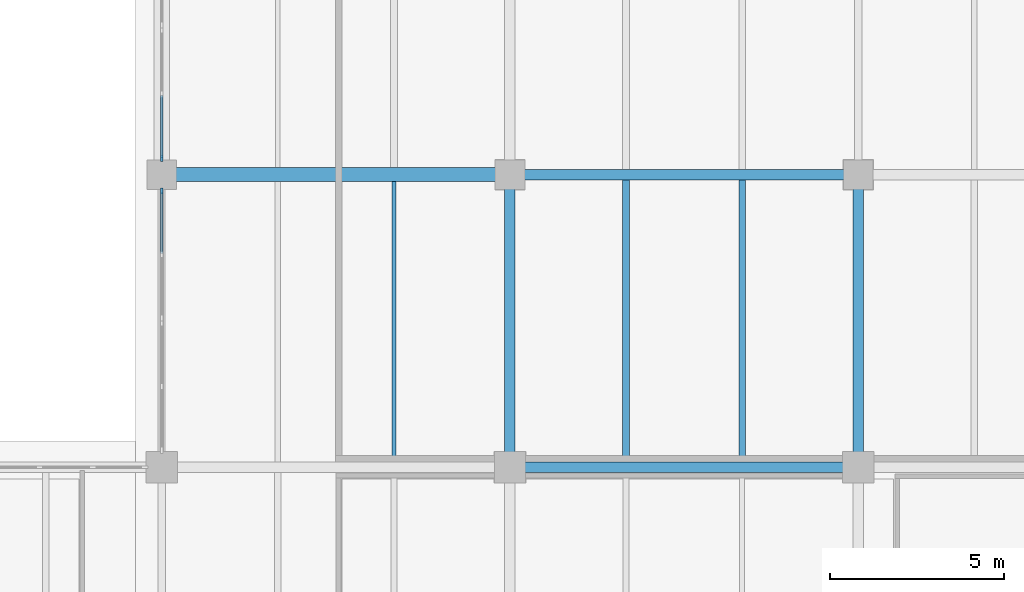
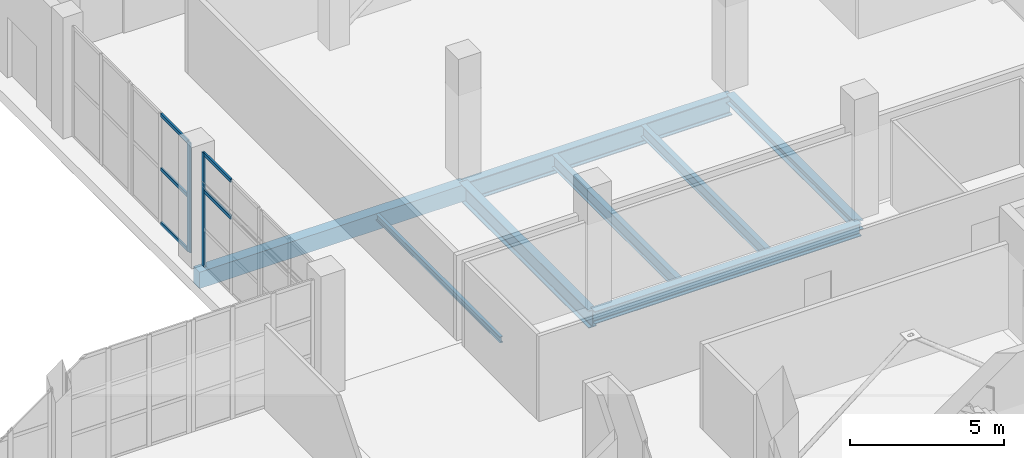
# One storey, part 35 of 121: 8 beams, 7 members, 2 elements without a shape of their own.
"""IFC4 building model written with IfcOpenShell, lengths in metres."""

from ifc_helpers import new_model, si_unit, direction, frame, origin, origin_2d, place, context, subcontext, project, spatial, rectangle, i_section, extrude, material, layer, layer_set, material_profile, profile_set, type_object, element, aggregate, save


model = new_model("IFC4")

# Units and contexts
model_context = context("Model", 3, precision=1e-05, world=origin(), true_north=direction((0.0, 1.0)))
body_context = subcontext(model_context, "Body", "Model", "MODEL_VIEW")
ifc_project = project(units=[si_unit("LENGTHUNIT", "METRE"), si_unit("AREAUNIT", "SQUARE_METRE"), si_unit("VOLUMEUNIT", "CUBIC_METRE"), si_unit("PLANEANGLEUNIT", "RADIAN"), si_unit("MASSUNIT", "GRAM", prefix="KILO")], contexts=[model_context])

# Site, building, storey
site_placement = place(None, origin())
site = spatial("IfcSite", under=ifc_project, at=site_placement, CompositionType="ELEMENT")
building_placement = place(site_placement, origin())
building = spatial("IfcBuilding", under=site, at=building_placement, Name="Zereglee Splitstone Museum", CompositionType="ELEMENT")
storey_placement = place(building_placement, origin())
storey = spatial("IfcBuildingStorey", under=building, at=storey_placement, Name="L00", CompositionType="ELEMENT", Elevation=0.0)

# Beam
ifc_material_1 = material(Name="Concrete C40/50", Category="concrete")
ifc_material_profile_1 = material_profile(ifc_material_1, rectangle(XDim=0.39990234375, YDim=0.64990234375, at=origin_2d()), Name="RC 400x650")
ifc_profile_set_1 = profile_set([ifc_material_profile_1], Name="Concrete C40/50")
beam_type_1 = type_object("IfcBeamType", Name="BG-04", PredefinedType="BEAM", material=ifc_profile_set_1)
beam_1_placement = place(storey_placement, frame((175.199951171875, 30.0, -0.7451171875), z_axis=(1.0, 0.0, 0.0), x_axis=(0.0, 1.0, 0.0)))
element("IfcBeam", 1, at=beam_1_placement, inside=storey, type_object=beam_type_1, Name="Primary Girder L00 D (175.2-185.2)", PredefinedType="BEAM", context=body_context, shape_type="SweptSolid", body=[
    extrude(rectangle(XDim=0.39990234375, YDim=0.64990234375, at=origin_2d()), origin(), (0.0, 0.0, 1.0), 10.0),
])

# Curtain wall, member
ifc_material_2 = material(Name="Triple-glazed low-E argon glass and bronze-anodised aluminium", Category="aluminium")
ifc_layer_1 = layer(ifc_material_2, 0.179931640625)
ifc_layer_set_1 = layer_set([ifc_layer_1], Name="Triple-glazed low-E argon glass and bronze-anodised aluminium")
curtain_wall_type_1 = type_object("IfcCurtainWallType", Name="CW-0375-436", PredefinedType="USERDEFINED", material=ifc_layer_set_1)
curtain_wall_1_placement = place(storey_placement, origin())
curtain_wall_1 = element("IfcCurtainWall", 2, at=curtain_wall_1_placement, inside=storey, type_object=curtain_wall_type_1, Name="Glazed Curtain Wall CW-0375-436 (L00)", ObjectType="GLAZED CURTAIN WALL", PredefinedType="USERDEFINED")
ifc_material_3 = material(Name="Thermally broken bronze-anodised aluminium", Category="aluminium")
ifc_material_profile_2 = material_profile(ifc_material_3, rectangle(XDim=0.06494140625, YDim=0.179931640625, at=origin_2d()), Name="CW MULL 65x180")
ifc_profile_set_2 = profile_set([ifc_material_profile_2], Name="Thermally broken bronze-anodised aluminium")
member_type_1 = type_object("IfcMemberType", Name="CWM-01", PredefinedType="MULLION", material=ifc_profile_set_2)
member_1_placement = place(storey_placement, frame((175.199951171875, 30.465576171875, 0.0), z_axis=(0.0, 0.0, 1.0), x_axis=(1.0, 0.0, 0.0)))
member_1 = element("IfcMember", 3, at=member_1_placement, type_object=member_type_1, Name="CW-0375-436 mullion 3", PredefinedType="MULLION", context=body_context, shape_type="SweptSolid", body=[
    extrude(rectangle(XDim=0.06494140625, YDim=0.179931640625, at=origin_2d()), origin(), (0.0, 0.0, 1.0), 4.360107421875),
])

ifc_layer_2 = layer(ifc_material_2, 0.179931640625)
ifc_layer_set_2 = layer_set([ifc_layer_2], Name="Triple-glazed low-E argon glass and bronze-anodised aluminium")
curtain_wall_type_2 = type_object("IfcCurtainWallType", Name="CW-0371-450", PredefinedType="USERDEFINED", material=ifc_layer_set_2)
curtain_wall_2_placement = place(storey_placement, origin())
curtain_wall_2 = element("IfcCurtainWall", 4, at=curtain_wall_2_placement, inside=storey, type_object=curtain_wall_type_2, Name="Glazed Curtain Wall CW-0371-450 (L00)", ObjectType="GLAZED CURTAIN WALL", PredefinedType="USERDEFINED")
member_2_placement = place(storey_placement, frame((175.199951171875, 29.534423828125, 0.0), z_axis=(0.0, 0.0, 1.0), x_axis=(1.0, 0.0, 0.0)))
member_2 = element("IfcMember", 5, at=member_2_placement, type_object=member_type_1, Name="CW-0371-450 mullion 1", PredefinedType="MULLION", context=body_context, shape_type="SweptSolid", body=[
    extrude(rectangle(XDim=0.06494140625, YDim=0.179931640625, at=origin_2d()), origin(), (0.0, 0.0, 1.0), 4.5),
])

# Member
ifc_material_profile_3 = material_profile(ifc_material_3, rectangle(XDim=0.06494140625, YDim=0.139892578125, at=origin_2d()), Name="CW TRAN 65x140")
ifc_profile_set_3 = profile_set([ifc_material_profile_3], Name="Thermally broken bronze-anodised aluminium")
member_type_2 = type_object("IfcMemberType", Name="CWT-01", PredefinedType="USERDEFINED", material=ifc_profile_set_3)
member_3_placement = place(storey_placement, frame((175.199951171875, 32.276611328125, 0.032470703125), z_axis=(0.0, -1.0, 0.0), x_axis=(1.0, 0.0, 0.0)))
member_3 = element("IfcMember", 6, at=member_3_placement, type_object=member_type_2, Name="CW-0375-436 transom 2.1", ObjectType="TRANSOM", PredefinedType="USERDEFINED", context=body_context, shape_type="SweptSolid", body=[
    extrude(rectangle(XDim=0.06494140625, YDim=0.139892578125, at=origin_2d()), origin(), (0.0, 0.0, 1.0), 1.778564453125),
])

member_4_placement = place(storey_placement, frame((175.199951171875, 32.276611328125, 2.179931640625), z_axis=(0.0, -1.0, 0.0), x_axis=(1.0, 0.0, 0.0)))
member_4 = element("IfcMember", 7, at=member_4_placement, type_object=member_type_2, Name="CW-0375-436 transom 2.2", ObjectType="TRANSOM", PredefinedType="USERDEFINED", context=body_context, shape_type="SweptSolid", body=[
    extrude(rectangle(XDim=0.06494140625, YDim=0.139892578125, at=origin_2d()), origin(), (0.0, 0.0, 1.0), 1.778564453125),
])

member_5_placement = place(storey_placement, frame((175.199951171875, 32.276611328125, 4.327392578125), z_axis=(0.0, -1.0, 0.0), x_axis=(1.0, 0.0, 0.0)))
member_5 = element("IfcMember", 8, at=member_5_placement, type_object=member_type_2, Name="CW-0375-436 transom 2.3", ObjectType="TRANSOM", PredefinedType="USERDEFINED", context=body_context, shape_type="SweptSolid", body=[
    extrude(rectangle(XDim=0.06494140625, YDim=0.139892578125, at=origin_2d()), origin(), (0.0, 0.0, 1.0), 1.778564453125),
])

aggregate(curtain_wall_1, [member_1, member_3, member_4, member_5])

member_6_placement = place(storey_placement, frame((175.199951171875, 29.501953125, 3.0), z_axis=(0.0, -1.0, 0.0), x_axis=(1.0, 0.0, 0.0)))
member_6 = element("IfcMember", 9, at=member_6_placement, type_object=member_type_2, Name="CW-0371-450 transom 1.3", ObjectType="TRANSOM", PredefinedType="USERDEFINED", context=body_context, shape_type="SweptSolid", body=[
    extrude(rectangle(XDim=0.06494140625, YDim=0.139892578125, at=origin_2d()), origin(), (0.0, 0.0, 1.0), 1.759765625),
])

member_7_placement = place(storey_placement, frame((175.199951171875, 29.501953125, 4.467529296875), z_axis=(0.0, -1.0, 0.0), x_axis=(1.0, 0.0, 0.0)))
member_7 = element("IfcMember", 10, at=member_7_placement, type_object=member_type_2, Name="CW-0371-450 transom 1.4", ObjectType="TRANSOM", PredefinedType="USERDEFINED", context=body_context, shape_type="SweptSolid", body=[
    extrude(rectangle(XDim=0.06494140625, YDim=0.139892578125, at=origin_2d()), origin(), (0.0, 0.0, 1.0), 1.759765625),
])

aggregate(curtain_wall_2, [member_2, member_6, member_7])

# Beams
ifc_material_4 = material(Name="Steel S355J2", Category="steel")
ifc_material_profile_4 = material_profile(ifc_material_4, i_section(OverallWidth=0.300048828125, OverallDepth=0.360107421875, WebThickness=0.012451171875, FlangeThickness=0.0224609375, FilletRadius=0.027099609375, at=origin_2d()), Name="HE 360 B")
ifc_profile_set_4 = profile_set([ifc_material_profile_4], Name="Steel S355J2")
beam_type_2 = type_object("IfcBeamType", Name="BG-14", PredefinedType="BEAM", material=ifc_profile_set_4)
beam_2_placement = place(storey_placement, frame((195.199951171875, 21.60009765625, -0.60009765625), z_axis=(0.0, 1.0, 0.0), x_axis=(-1.0, 0.0, 0.0)))
element("IfcBeam", 11, at=beam_2_placement, inside=storey, type_object=beam_type_2, Name="Primary Girder L00 22 (21.6-30.0)", PredefinedType="BEAM", context=body_context, shape_type="SweptSolid", body=[
    extrude(i_section(OverallWidth=0.300048828125, OverallDepth=0.360107421875, WebThickness=0.012451171875, FlangeThickness=0.0224609375, FilletRadius=0.027099609375, at=origin_2d()), origin(), (0.0, 0.0, 1.0), 8.39990234375),
])
ifc_material_profile_5 = material_profile(ifc_material_4, i_section(OverallWidth=0.300048828125, OverallDepth=0.5, WebThickness=0.014404296875, FlangeThickness=0.028076171875, FilletRadius=0.027099609375, at=origin_2d()), Name="HE 500 B")
ifc_profile_set_5 = profile_set([ifc_material_profile_5], Name="Steel S355J2")
beam_type_3 = type_object("IfcBeamType", Name="BG-12", PredefinedType="BEAM", material=ifc_profile_set_5)
beam_3_placement = place(storey_placement, frame((185.199951171875, 21.60009765625, -0.669921875), z_axis=(1.0, 0.0, 0.0), x_axis=(0.0, 1.0, 0.0)))
element("IfcBeam", 12, at=beam_3_placement, inside=storey, type_object=beam_type_3, Name="Primary Girder L00 C (185.2-195.2)", PredefinedType="BEAM", context=body_context, shape_type="SweptSolid", body=[
    extrude(i_section(OverallWidth=0.300048828125, OverallDepth=0.5, WebThickness=0.014404296875, FlangeThickness=0.028076171875, FilletRadius=0.027099609375, at=origin_2d()), origin(), (0.0, 0.0, 1.0), 10.0),
])
ifc_material_profile_6 = material_profile(ifc_material_4, i_section(OverallWidth=0.300048828125, OverallDepth=0.699951171875, WebThickness=0.01708984375, FlangeThickness=0.031982421875, FilletRadius=0.027099609375, at=origin_2d()), Name="HE 700 B")
ifc_profile_set_6 = profile_set([ifc_material_profile_6], Name="Steel S355J2")
beam_type_4 = type_object("IfcBeamType", Name="BG-08", PredefinedType="BEAM", material=ifc_profile_set_6)
beam_4_placement = place(storey_placement, frame((185.199951171875, 21.60009765625, -0.77001953125), z_axis=(0.0, 1.0, 0.0), x_axis=(-1.0, 0.0, 0.0)))
element("IfcBeam", 13, at=beam_4_placement, inside=storey, type_object=beam_type_4, Name="Primary Girder L00 21 (21.6-30.0)", PredefinedType="BEAM", context=body_context, shape_type="SweptSolid", body=[
    extrude(i_section(OverallWidth=0.300048828125, OverallDepth=0.699951171875, WebThickness=0.01708984375, FlangeThickness=0.031982421875, FilletRadius=0.027099609375, at=origin_2d()), origin(), (0.0, 0.0, 1.0), 8.39990234375),
])
ifc_material_profile_7 = material_profile(ifc_material_4, i_section(OverallWidth=0.300048828125, OverallDepth=0.800048828125, WebThickness=0.017578125, FlangeThickness=0.032958984375, FilletRadius=0.030029296875, at=origin_2d()), Name="HE 800 B")
ifc_profile_set_7 = profile_set([ifc_material_profile_7], Name="Steel S355J2")
beam_type_5 = type_object("IfcBeamType", Name="BG-07", PredefinedType="BEAM", material=ifc_profile_set_7)
beam_5_placement = place(storey_placement, frame((185.199951171875, 30.0, -0.820068359375), z_axis=(1.0, 0.0, 0.0), x_axis=(0.0, 1.0, 0.0)))
element("IfcBeam", 14, at=beam_5_placement, inside=storey, type_object=beam_type_5, Name="Primary Girder L00 D (185.2-195.2)", PredefinedType="BEAM", context=body_context, shape_type="SweptSolid", body=[
    extrude(i_section(OverallWidth=0.300048828125, OverallDepth=0.800048828125, WebThickness=0.017578125, FlangeThickness=0.032958984375, FilletRadius=0.030029296875, at=origin_2d()), origin(), (0.0, 0.0, 1.0), 10.0),
])
ifc_material_profile_8 = material_profile(ifc_material_4, i_section(OverallWidth=0.1201171875, OverallDepth=0.239990234375, WebThickness=0.006103515625, FlangeThickness=0.009765625, FilletRadius=0.014892578125, at=origin_2d()), Name="IPE 240")
ifc_profile_set_8 = profile_set([ifc_material_profile_8], Name="Steel S355J2")
beam_type_6 = type_object("IfcBeamType", Name="BJ-07", PredefinedType="JOIST", material=ifc_profile_set_8)
beam_6_placement = place(storey_placement, frame((181.86669921875, 21.75, -0.5400390625), z_axis=(0.0, 1.0, 0.0), x_axis=(-1.0, 0.0, 0.0)))
element("IfcBeam", 15, at=beam_6_placement, inside=storey, type_object=beam_type_6, Name="Secondary Floor Joist L00-0328", PredefinedType="JOIST", context=body_context, shape_type="SweptSolid", body=[
    extrude(i_section(OverallWidth=0.1201171875, OverallDepth=0.239990234375, WebThickness=0.006103515625, FlangeThickness=0.009765625, FilletRadius=0.014892578125, at=origin_2d()), origin(), (0.0, 0.0, 1.0), 8.050048828125),
])
ifc_material_profile_9 = material_profile(ifc_material_4, i_section(OverallWidth=0.18994140625, OverallDepth=0.449951171875, WebThickness=0.009521484375, FlangeThickness=0.0146484375, FilletRadius=0.02099609375, at=origin_2d()), Name="IPE 450")
ifc_profile_set_9 = profile_set([ifc_material_profile_9], Name="Steel S355J2")
beam_type_7 = type_object("IfcBeamType", Name="BJ-02", PredefinedType="JOIST", material=ifc_profile_set_9)
beam_7_placement = place(storey_placement, frame((191.86669921875, 21.75, -0.64501953125), z_axis=(0.0, 1.0, 0.0), x_axis=(-1.0, 0.0, 0.0)))
element("IfcBeam", 16, at=beam_7_placement, inside=storey, type_object=beam_type_7, Name="Secondary Floor Joist L00-0330", PredefinedType="JOIST", context=body_context, shape_type="SweptSolid", body=[
    extrude(i_section(OverallWidth=0.18994140625, OverallDepth=0.449951171875, WebThickness=0.009521484375, FlangeThickness=0.0146484375, FilletRadius=0.02099609375, at=origin_2d()), origin(), (0.0, 0.0, 1.0), 8.10009765625),
])
ifc_material_profile_10 = material_profile(ifc_material_4, i_section(OverallWidth=0.199951171875, OverallDepth=0.5, WebThickness=0.01025390625, FlangeThickness=0.01611328125, FilletRadius=0.02099609375, at=origin_2d()), Name="IPE 500")
ifc_profile_set_10 = profile_set([ifc_material_profile_10], Name="Steel S355J2")
beam_type_8 = type_object("IfcBeamType", Name="BJ-01", PredefinedType="JOIST", material=ifc_profile_set_10)
beam_8_placement = place(storey_placement, frame((188.533203125, 21.75, -0.669921875), z_axis=(0.0, 1.0, 0.0), x_axis=(-1.0, 0.0, 0.0)))
element("IfcBeam", 17, at=beam_8_placement, inside=storey, type_object=beam_type_8, Name="Secondary Floor Joist L00-0329", PredefinedType="JOIST", context=body_context, shape_type="SweptSolid", body=[
    extrude(i_section(OverallWidth=0.199951171875, OverallDepth=0.5, WebThickness=0.01025390625, FlangeThickness=0.01611328125, FilletRadius=0.02099609375, at=origin_2d()), origin(), (0.0, 0.0, 1.0), 8.10009765625),
])

save(model, "model.ifc")
